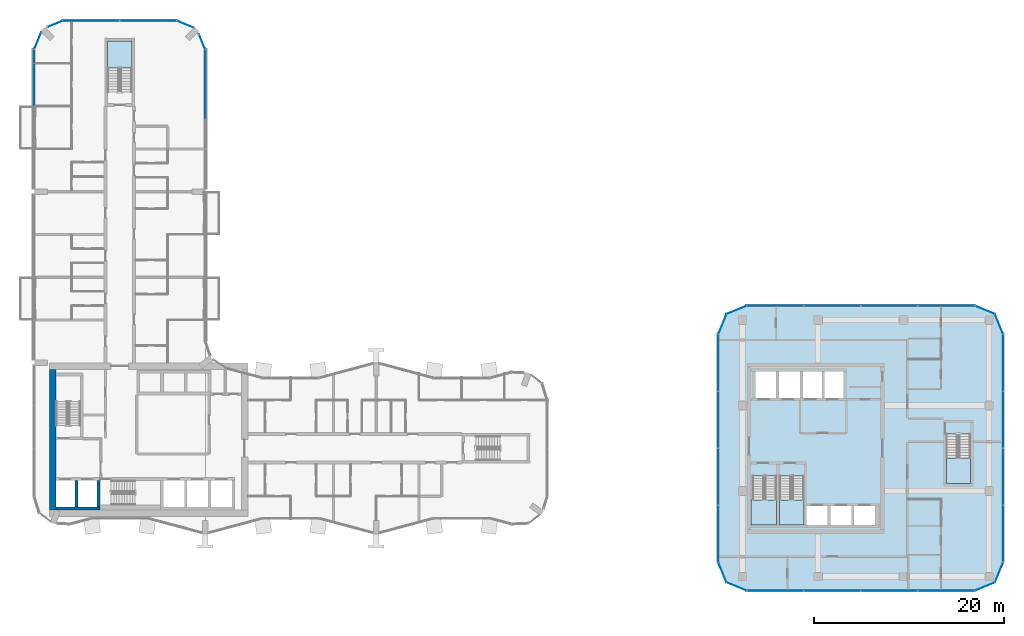
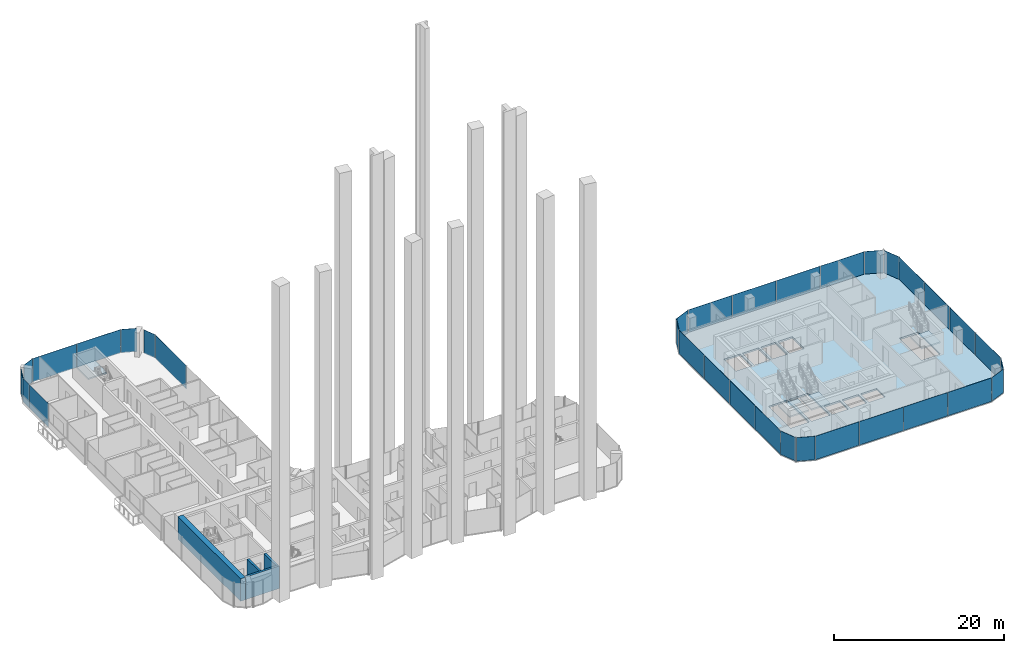
# One storey, part 12 of 27: 33 plates, 5 slabs, 4 walls, 23 elements without a shape of their own.
"""IFC4 building model written with IfcOpenShell, lengths in metres."""

from ifc_helpers import new_model, si_unit, direction, frame, frame_2d, origin, origin_2d, place, context, subcontext, project, spatial, polyline, rectangle, outline, extrude, material, layer, layer_set, type_object, element, aggregate, save


model = new_model("IFC4")

# Units and contexts
model_context = context("Model", 3, precision=1e-05, world=origin(), true_north=direction((0.0, 1.0)))
body_context = subcontext(model_context, "Body", "Model", "MODEL_VIEW")
ifc_project = project(units=[si_unit("LENGTHUNIT", "METRE"), si_unit("AREAUNIT", "SQUARE_METRE"), si_unit("VOLUMEUNIT", "CUBIC_METRE"), si_unit("PLANEANGLEUNIT", "RADIAN"), si_unit("MASSUNIT", "GRAM", prefix="KILO")], contexts=[model_context])

# Site, building, storey
site_placement = place(None, origin())
site = spatial("IfcSite", under=ifc_project, at=site_placement, CompositionType="ELEMENT")
building_placement = place(site_placement, origin())
building = spatial("IfcBuilding", under=site, at=building_placement, Name="Plateau Cross Towers", CompositionType="ELEMENT")
storey_placement = place(building_placement, frame((0.0, 0.0, 78.300048828125)))
storey = spatial("IfcBuildingStorey", under=building, at=storey_placement, Name="L19", CompositionType="ELEMENT", Elevation=78.300048828125)

# Curtain wall, plates
ifc_material_1 = material(Name="Dark low-iron glass", Category="glass")
ifc_layer_1 = layer(ifc_material_1, 0.239990234375)
ifc_layer_set_1 = layer_set([ifc_layer_1], Name="Dark low-iron glass")
curtain_wall_type_1 = type_object("IfcCurtainWallType", Name="Curtain wall office unitised CW-F", PredefinedType="NOTDEFINED", material=ifc_layer_set_1)
curtain_wall_1_placement = place(storey_placement, origin())
curtain_wall_1 = element("IfcCurtainWall", 1, at=curtain_wall_1_placement, inside=storey, type_object=curtain_wall_type_1, Name="ENV/B/L19/B750_-60", PredefinedType="NOTDEFINED")
ifc_layer_2 = layer(ifc_material_1, 0.028076171875)
ifc_layer_set_2 = layer_set([ifc_layer_2], Name="Dark low-iron glass")
plate_type_1 = type_object("IfcPlateType", Name="Glass panel 28 office unitised", PredefinedType="CURTAIN_PANEL", material=ifc_layer_set_2)
plate_1_placement = place(storey_placement, frame((78.0, -6.0, -0.1298828125), z_axis=(0.0, 0.0, 1.0), x_axis=(1.0, 0.0, 0.0)))
plate_1 = element("IfcPlate", 2, at=plate_1_placement, type_object=plate_type_1, Name="CW-F panel 1", PredefinedType="CURTAIN_PANEL", context=body_context, shape_type="SweptSolid", body=[
    extrude(rectangle(XDim=5.93994140625, YDim=0.028076171875, at=origin_2d()), origin(), (0.0, 0.0, 1.0), 3.3798828125),
])
plate_2_placement = place(storey_placement, frame((84.0, -6.0, -0.1298828125), z_axis=(0.0, 0.0, 1.0), x_axis=(1.0, 0.0, 0.0)))
plate_2 = element("IfcPlate", 3, at=plate_2_placement, type_object=plate_type_1, Name="CW-F panel 2", PredefinedType="CURTAIN_PANEL", context=body_context, shape_type="SweptSolid", body=[
    extrude(rectangle(XDim=5.93994140625, YDim=0.028076171875, at=origin_2d()), origin(), (0.0, 0.0, 1.0), 3.3798828125),
])
plate_3_placement = place(storey_placement, frame((90.0, -6.0, -0.1298828125), z_axis=(0.0, 0.0, 1.0), x_axis=(1.0, 0.0, 0.0)))
plate_3 = element("IfcPlate", 4, at=plate_3_placement, type_object=plate_type_1, Name="CW-F panel 3", PredefinedType="CURTAIN_PANEL", context=body_context, shape_type="SweptSolid", body=[
    extrude(rectangle(XDim=5.93994140625, YDim=0.028076171875, at=origin_2d()), origin(), (0.0, 0.0, 1.0), 3.3798828125),
])
plate_4_placement = place(storey_placement, frame((96.0, -6.0, -0.1298828125), z_axis=(0.0, 0.0, 1.0), x_axis=(1.0, 0.0, 0.0)))
plate_4 = element("IfcPlate", 5, at=plate_4_placement, type_object=plate_type_1, Name="CW-F panel 4", PredefinedType="CURTAIN_PANEL", context=body_context, shape_type="SweptSolid", body=[
    extrude(rectangle(XDim=5.93994140625, YDim=0.028076171875, at=origin_2d()), origin(), (0.0, 0.0, 1.0), 3.3798828125),
])
aggregate(curtain_wall_1, [plate_1, plate_2, plate_3, plate_4])

# Curtain wall, plate
curtain_wall_2_placement = place(storey_placement, origin())
curtain_wall_2 = element("IfcCurtainWall", 6, at=curtain_wall_2_placement, inside=storey, type_object=curtain_wall_type_1, Name="ENV/B/L19/B990_-60", PredefinedType="NOTDEFINED")
plate_5_placement = place(storey_placement, frame((100.060546875, -5.560546875, -0.1298828125), z_axis=(0.0, 0.0, 1.0), x_axis=(0.923879457699, 0.382683612978, 0.0)))
plate_5 = element("IfcPlate", 7, at=plate_5_placement, type_object=plate_type_1, Name="CW-F panel 1", PredefinedType="CURTAIN_PANEL", context=body_context, shape_type="SweptSolid", body=[
    extrude(rectangle(XDim=2.236083984375, YDim=0.028076171875, at=origin_2d()), origin(), (0.0, 0.0, 1.0), 3.3798828125),
])
aggregate(curtain_wall_2, [plate_5])

curtain_wall_3_placement = place(storey_placement, origin())
curtain_wall_3 = element("IfcCurtainWall", 8, at=curtain_wall_3_placement, inside=storey, type_object=curtain_wall_type_1, Name="ENV/B/L19/B1011_-51", PredefinedType="NOTDEFINED")
plate_6_placement = place(storey_placement, frame((101.560546875, -4.060546875, -0.1298828125), z_axis=(0.0, 0.0, 1.0), x_axis=(0.382683612978, 0.923879457699, 0.0)))
plate_6 = element("IfcPlate", 9, at=plate_6_placement, type_object=plate_type_1, Name="CW-F panel 1", PredefinedType="CURTAIN_PANEL", context=body_context, shape_type="SweptSolid", body=[
    extrude(rectangle(XDim=2.236083984375, YDim=0.028076171875, at=origin_2d()), origin(), (0.0, 0.0, 1.0), 3.3798828125),
])
aggregate(curtain_wall_3, [plate_6])

# Curtain wall, plates
curtain_wall_4_placement = place(storey_placement, origin())
curtain_wall_4 = element("IfcCurtainWall", 10, at=curtain_wall_4_placement, inside=storey, type_object=curtain_wall_type_1, Name="ENV/B/L19/B1020_-30", PredefinedType="NOTDEFINED")
plate_7_placement = place(storey_placement, frame((102.0, 0.0, -0.1298828125), z_axis=(0.0, 0.0, 1.0), x_axis=(0.0, 1.0, 0.0)))
plate_7 = element("IfcPlate", 11, at=plate_7_placement, type_object=plate_type_1, Name="CW-F panel 1", PredefinedType="CURTAIN_PANEL", context=body_context, shape_type="SweptSolid", body=[
    extrude(rectangle(XDim=5.93994140625, YDim=0.028076171875, at=origin_2d()), origin(), (0.0, 0.0, 1.0), 3.3798828125),
])
plate_8_placement = place(storey_placement, frame((102.0, 6.0, -0.1298828125), z_axis=(0.0, 0.0, 1.0), x_axis=(0.0, 1.0, 0.0)))
plate_8 = element("IfcPlate", 12, at=plate_8_placement, type_object=plate_type_1, Name="CW-F panel 2", PredefinedType="CURTAIN_PANEL", context=body_context, shape_type="SweptSolid", body=[
    extrude(rectangle(XDim=5.93994140625, YDim=0.028076171875, at=origin_2d()), origin(), (0.0, 0.0, 1.0), 3.3798828125),
])
plate_9_placement = place(storey_placement, frame((102.0, 12.0, -0.1298828125), z_axis=(0.0, 0.0, 1.0), x_axis=(0.0, 1.0, 0.0)))
plate_9 = element("IfcPlate", 13, at=plate_9_placement, type_object=plate_type_1, Name="CW-F panel 3", PredefinedType="CURTAIN_PANEL", context=body_context, shape_type="SweptSolid", body=[
    extrude(rectangle(XDim=5.93994140625, YDim=0.028076171875, at=origin_2d()), origin(), (0.0, 0.0, 1.0), 3.3798828125),
])
plate_10_placement = place(storey_placement, frame((102.0, 18.0, -0.1298828125), z_axis=(0.0, 0.0, 1.0), x_axis=(0.0, 1.0, 0.0)))
plate_10 = element("IfcPlate", 14, at=plate_10_placement, type_object=plate_type_1, Name="CW-F panel 4", PredefinedType="CURTAIN_PANEL", context=body_context, shape_type="SweptSolid", body=[
    extrude(rectangle(XDim=5.93994140625, YDim=0.028076171875, at=origin_2d()), origin(), (0.0, 0.0, 1.0), 3.3798828125),
])
aggregate(curtain_wall_4, [plate_7, plate_8, plate_9, plate_10])

# Curtain wall, plate
curtain_wall_5_placement = place(storey_placement, origin())
curtain_wall_5 = element("IfcCurtainWall", 15, at=curtain_wall_5_placement, inside=storey, type_object=curtain_wall_type_1, Name="ENV/B/L19/B1020_210", PredefinedType="NOTDEFINED")
plate_11_placement = place(storey_placement, frame((101.560546875, 22.060546875, -0.1298828125), z_axis=(0.0, 0.0, 1.0), x_axis=(-0.382683612978, 0.923879457699, 0.0)))
plate_11 = element("IfcPlate", 16, at=plate_11_placement, type_object=plate_type_1, Name="CW-F panel 1", PredefinedType="CURTAIN_PANEL", context=body_context, shape_type="SweptSolid", body=[
    extrude(rectangle(XDim=2.236083984375, YDim=0.028076171875, at=origin_2d()), origin(), (0.0, 0.0, 1.0), 3.3798828125),
])
aggregate(curtain_wall_5, [plate_11])

curtain_wall_6_placement = place(storey_placement, origin())
curtain_wall_6 = element("IfcCurtainWall", 17, at=curtain_wall_6_placement, inside=storey, type_object=curtain_wall_type_1, Name="ENV/B/L19/B1011_231", PredefinedType="NOTDEFINED")
plate_12_placement = place(storey_placement, frame((100.060546875, 23.560546875, -0.1298828125), z_axis=(0.0, 0.0, 1.0), x_axis=(-0.923879457699, 0.382683612978, 0.0)))
plate_12 = element("IfcPlate", 18, at=plate_12_placement, type_object=plate_type_1, Name="CW-F panel 1", PredefinedType="CURTAIN_PANEL", context=body_context, shape_type="SweptSolid", body=[
    extrude(rectangle(XDim=2.236083984375, YDim=0.028076171875, at=origin_2d()), origin(), (0.0, 0.0, 1.0), 3.3798828125),
])
aggregate(curtain_wall_6, [plate_12])

# Curtain wall, plates
curtain_wall_7_placement = place(storey_placement, origin())
curtain_wall_7 = element("IfcCurtainWall", 19, at=curtain_wall_7_placement, inside=storey, type_object=curtain_wall_type_1, Name="ENV/B/L19/B990_240", PredefinedType="NOTDEFINED")
plate_13_placement = place(storey_placement, frame((96.0, 24.0, -0.1298828125), z_axis=(0.0, 0.0, 1.0), x_axis=(-1.0, 0.0, 0.0)))
plate_13 = element("IfcPlate", 20, at=plate_13_placement, type_object=plate_type_1, Name="CW-F panel 1", PredefinedType="CURTAIN_PANEL", context=body_context, shape_type="SweptSolid", body=[
    extrude(rectangle(XDim=5.93994140625, YDim=0.028076171875, at=origin_2d()), origin(), (0.0, 0.0, 1.0), 3.3798828125),
])
plate_14_placement = place(storey_placement, frame((90.0, 24.0, -0.1298828125), z_axis=(0.0, 0.0, 1.0), x_axis=(-1.0, 0.0, 0.0)))
plate_14 = element("IfcPlate", 21, at=plate_14_placement, type_object=plate_type_1, Name="CW-F panel 2", PredefinedType="CURTAIN_PANEL", context=body_context, shape_type="SweptSolid", body=[
    extrude(rectangle(XDim=5.93994140625, YDim=0.028076171875, at=origin_2d()), origin(), (0.0, 0.0, 1.0), 3.3798828125),
])
plate_15_placement = place(storey_placement, frame((84.0, 24.0, -0.1298828125), z_axis=(0.0, 0.0, 1.0), x_axis=(-1.0, 0.0, 0.0)))
plate_15 = element("IfcPlate", 22, at=plate_15_placement, type_object=plate_type_1, Name="CW-F panel 3", PredefinedType="CURTAIN_PANEL", context=body_context, shape_type="SweptSolid", body=[
    extrude(rectangle(XDim=5.93994140625, YDim=0.028076171875, at=origin_2d()), origin(), (0.0, 0.0, 1.0), 3.3798828125),
])
plate_16_placement = place(storey_placement, frame((78.0, 24.0, -0.1298828125), z_axis=(0.0, 0.0, 1.0), x_axis=(-1.0, 0.0, 0.0)))
plate_16 = element("IfcPlate", 23, at=plate_16_placement, type_object=plate_type_1, Name="CW-F panel 4", PredefinedType="CURTAIN_PANEL", context=body_context, shape_type="SweptSolid", body=[
    extrude(rectangle(XDim=5.93994140625, YDim=0.028076171875, at=origin_2d()), origin(), (0.0, 0.0, 1.0), 3.3798828125),
])
aggregate(curtain_wall_7, [plate_13, plate_14, plate_15, plate_16])

# Curtain wall, plate
curtain_wall_8_placement = place(storey_placement, origin())
curtain_wall_8 = element("IfcCurtainWall", 24, at=curtain_wall_8_placement, inside=storey, type_object=curtain_wall_type_1, Name="ENV/B/L19/B750_240", PredefinedType="NOTDEFINED")
plate_17_placement = place(storey_placement, frame((73.939453125, 23.560546875, -0.1298828125), z_axis=(0.0, 0.0, 1.0), x_axis=(-0.923879457699, -0.382683612978, 0.0)))
plate_17 = element("IfcPlate", 25, at=plate_17_placement, type_object=plate_type_1, Name="CW-F panel 1", PredefinedType="CURTAIN_PANEL", context=body_context, shape_type="SweptSolid", body=[
    extrude(rectangle(XDim=2.236083984375, YDim=0.028076171875, at=origin_2d()), origin(), (0.0, 0.0, 1.0), 3.3798828125),
])
aggregate(curtain_wall_8, [plate_17])

curtain_wall_9_placement = place(storey_placement, origin())
curtain_wall_9 = element("IfcCurtainWall", 26, at=curtain_wall_9_placement, inside=storey, type_object=curtain_wall_type_1, Name="ENV/B/L19/B729_231", PredefinedType="NOTDEFINED")
plate_18_placement = place(storey_placement, frame((72.439453125, 22.060546875, -0.1298828125), z_axis=(0.0, 0.0, 1.0), x_axis=(-0.382683612978, -0.923879457699, 0.0)))
plate_18 = element("IfcPlate", 27, at=plate_18_placement, type_object=plate_type_1, Name="CW-F panel 1", PredefinedType="CURTAIN_PANEL", context=body_context, shape_type="SweptSolid", body=[
    extrude(rectangle(XDim=2.236083984375, YDim=0.028076171875, at=origin_2d()), origin(), (0.0, 0.0, 1.0), 3.3798828125),
])
aggregate(curtain_wall_9, [plate_18])

# Curtain wall, plates
curtain_wall_10_placement = place(storey_placement, origin())
curtain_wall_10 = element("IfcCurtainWall", 28, at=curtain_wall_10_placement, inside=storey, type_object=curtain_wall_type_1, Name="ENV/B/L19/B720_210", PredefinedType="NOTDEFINED")
plate_19_placement = place(storey_placement, frame((72.0, 18.0, -0.1298828125), z_axis=(0.0, 0.0, 1.0), x_axis=(0.0, -1.0, 0.0)))
plate_19 = element("IfcPlate", 29, at=plate_19_placement, type_object=plate_type_1, Name="CW-F panel 1", PredefinedType="CURTAIN_PANEL", context=body_context, shape_type="SweptSolid", body=[
    extrude(rectangle(XDim=5.93994140625, YDim=0.028076171875, at=origin_2d()), origin(), (0.0, 0.0, 1.0), 3.3798828125),
])
plate_20_placement = place(storey_placement, frame((72.0, 12.0, -0.1298828125), z_axis=(0.0, 0.0, 1.0), x_axis=(0.0, -1.0, 0.0)))
plate_20 = element("IfcPlate", 30, at=plate_20_placement, type_object=plate_type_1, Name="CW-F panel 2", PredefinedType="CURTAIN_PANEL", context=body_context, shape_type="SweptSolid", body=[
    extrude(rectangle(XDim=5.93994140625, YDim=0.028076171875, at=origin_2d()), origin(), (0.0, 0.0, 1.0), 3.3798828125),
])
plate_21_placement = place(storey_placement, frame((72.0, 6.0, -0.1298828125), z_axis=(0.0, 0.0, 1.0), x_axis=(0.0, -1.0, 0.0)))
plate_21 = element("IfcPlate", 31, at=plate_21_placement, type_object=plate_type_1, Name="CW-F panel 3", PredefinedType="CURTAIN_PANEL", context=body_context, shape_type="SweptSolid", body=[
    extrude(rectangle(XDim=5.93994140625, YDim=0.028076171875, at=origin_2d()), origin(), (0.0, 0.0, 1.0), 3.3798828125),
])
plate_22_placement = place(storey_placement, frame((72.0, 0.0, -0.1298828125), z_axis=(0.0, 0.0, 1.0), x_axis=(0.0, -1.0, 0.0)))
plate_22 = element("IfcPlate", 32, at=plate_22_placement, type_object=plate_type_1, Name="CW-F panel 4", PredefinedType="CURTAIN_PANEL", context=body_context, shape_type="SweptSolid", body=[
    extrude(rectangle(XDim=5.93994140625, YDim=0.028076171875, at=origin_2d()), origin(), (0.0, 0.0, 1.0), 3.3798828125),
])
aggregate(curtain_wall_10, [plate_19, plate_20, plate_21, plate_22])

# Curtain wall, plate
curtain_wall_11_placement = place(storey_placement, origin())
curtain_wall_11 = element("IfcCurtainWall", 33, at=curtain_wall_11_placement, inside=storey, type_object=curtain_wall_type_1, Name="ENV/B/L19/B720_-30", PredefinedType="NOTDEFINED")
plate_23_placement = place(storey_placement, frame((72.439453125, -4.060546875, -0.1298828125), z_axis=(0.0, 0.0, 1.0), x_axis=(0.382683612978, -0.923879457699, 0.0)))
plate_23 = element("IfcPlate", 34, at=plate_23_placement, type_object=plate_type_1, Name="CW-F panel 1", PredefinedType="CURTAIN_PANEL", context=body_context, shape_type="SweptSolid", body=[
    extrude(rectangle(XDim=2.236083984375, YDim=0.028076171875, at=origin_2d()), origin(), (0.0, 0.0, 1.0), 3.3798828125),
])
aggregate(curtain_wall_11, [plate_23])

curtain_wall_12_placement = place(storey_placement, origin())
curtain_wall_12 = element("IfcCurtainWall", 35, at=curtain_wall_12_placement, inside=storey, type_object=curtain_wall_type_1, Name="ENV/B/L19/B729_-51", PredefinedType="NOTDEFINED")
plate_24_placement = place(storey_placement, frame((73.939453125, -5.560546875, -0.1298828125), z_axis=(0.0, 0.0, 1.0), x_axis=(0.923879457699, -0.382683612978, 0.0)))
plate_24 = element("IfcPlate", 36, at=plate_24_placement, type_object=plate_type_1, Name="CW-F panel 1", PredefinedType="CURTAIN_PANEL", context=body_context, shape_type="SweptSolid", body=[
    extrude(rectangle(XDim=2.236083984375, YDim=0.028076171875, at=origin_2d()), origin(), (0.0, 0.0, 1.0), 3.3798828125),
])
aggregate(curtain_wall_12, [plate_24])

ifc_layer_3 = layer(ifc_material_1, 0.239990234375)
ifc_layer_set_3 = layer_set([ifc_layer_3], Name="Dark low-iron glass")
curtain_wall_type_2 = type_object("IfcCurtainWallType", Name="Curtain wall flush unitised CW-B", PredefinedType="NOTDEFINED", material=ifc_layer_set_3)
curtain_wall_13_placement = place(storey_placement, origin())
curtain_wall_13 = element("IfcCurtainWall", 37, at=curtain_wall_13_placement, inside=storey, type_object=curtain_wall_type_2, Name="ENV/A/L19/A180_363", PredefinedType="NOTDEFINED")
ifc_layer_4 = layer(ifc_material_1, 0.031982421875)
ifc_layer_set_4 = layer_set([ifc_layer_4], Name="Dark low-iron glass")
plate_type_2 = type_object("IfcPlateType", Name="Glass panel 32 flush unitised", PredefinedType="CURTAIN_PANEL", material=ifc_layer_set_4)
plate_25_placement = place(storey_placement, frame((18.0, 47.324951171875, -0.1298828125), z_axis=(0.0, 0.0, 1.0), x_axis=(0.0, 1.0, 0.0)))
plate_25 = element("IfcPlate", 38, at=plate_25_placement, type_object=plate_type_2, Name="CW-B panel 2", PredefinedType="CURTAIN_PANEL", context=body_context, shape_type="SweptSolid", body=[
    extrude(rectangle(XDim=7.2900390625, YDim=0.031982421875, at=origin_2d()), origin(), (0.0, 0.0, 1.0), 3.3798828125),
])
aggregate(curtain_wall_13, [plate_25])

curtain_wall_14_placement = place(storey_placement, origin())
curtain_wall_14 = element("IfcCurtainWall", 39, at=curtain_wall_14_placement, inside=storey, type_object=curtain_wall_type_2, Name="ENV/A/L19/A180_510", PredefinedType="NOTDEFINED")
plate_26_placement = place(storey_placement, frame((17.66943359375, 51.79833984375, -0.1298828125), z_axis=(0.0, 0.0, 1.0), x_axis=(-0.382683612978, 0.923879457699, 0.0)))
plate_26 = element("IfcPlate", 40, at=plate_26_placement, type_object=plate_type_2, Name="CW-B panel 1", PredefinedType="CURTAIN_PANEL", context=body_context, shape_type="SweptSolid", body=[
    extrude(rectangle(XDim=1.668212890625, YDim=0.031982421875, at=origin_2d()), origin(), (0.0, 0.0, 1.0), 3.3798828125),
])
aggregate(curtain_wall_14, [plate_26])

curtain_wall_15_placement = place(storey_placement, origin())
curtain_wall_15 = element("IfcCurtainWall", 41, at=curtain_wall_15_placement, inside=storey, type_object=curtain_wall_type_2, Name="ENV/A/L19/A168_533", PredefinedType="NOTDEFINED")
plate_27_placement = place(storey_placement, frame((15.90283203125, 53.6259765625, -0.1298828125), z_axis=(0.0, 0.0, 1.0), x_axis=(-0.923879457699, 0.382683612978, 0.0)))
plate_27 = element("IfcPlate", 42, at=plate_27_placement, type_object=plate_type_2, Name="CW-B panel 1", PredefinedType="CURTAIN_PANEL", context=body_context, shape_type="SweptSolid", body=[
    extrude(rectangle(XDim=1.894775390625, YDim=0.031982421875, at=origin_2d()), origin(), (0.0, 0.0, 1.0), 3.3798828125),
])
aggregate(curtain_wall_15, [plate_27])

# Curtain wall, plates
curtain_wall_16_placement = place(storey_placement, origin())
curtain_wall_16 = element("IfcCurtainWall", 43, at=curtain_wall_16_placement, inside=storey, type_object=curtain_wall_type_2, Name="ENV/A/L19/A150_540", PredefinedType="NOTDEFINED")
plate_28_placement = place(storey_placement, frame((12.0, 54.0, -0.1298828125), z_axis=(0.0, 0.0, 1.0), x_axis=(-1.0, 0.0, 0.0)))
plate_28 = element("IfcPlate", 44, at=plate_28_placement, type_object=plate_type_2, Name="CW-B panel 1", PredefinedType="CURTAIN_PANEL", context=body_context, shape_type="SweptSolid", body=[
    extrude(rectangle(XDim=5.93994140625, YDim=0.031982421875, at=origin_2d()), origin(), (0.0, 0.0, 1.0), 3.3798828125),
])
plate_29_placement = place(storey_placement, frame((6.0, 54.0, -0.1298828125), z_axis=(0.0, 0.0, 1.0), x_axis=(-1.0, 0.0, 0.0)))
plate_29 = element("IfcPlate", 45, at=plate_29_placement, type_object=plate_type_2, Name="CW-B panel 2", PredefinedType="CURTAIN_PANEL", context=body_context, shape_type="SweptSolid", body=[
    extrude(rectangle(XDim=5.93994140625, YDim=0.031982421875, at=origin_2d()), origin(), (0.0, 0.0, 1.0), 3.3798828125),
])
aggregate(curtain_wall_16, [plate_28, plate_29])

# Curtain wall, plate
curtain_wall_17_placement = place(storey_placement, origin())
curtain_wall_17 = element("IfcCurtainWall", 46, at=curtain_wall_17_placement, inside=storey, type_object=curtain_wall_type_2, Name="ENV/A/L19/A30_540", PredefinedType="NOTDEFINED")
plate_30_placement = place(storey_placement, frame((2.20166015625, 53.66943359375, -0.1298828125), z_axis=(0.0, 0.0, 1.0), x_axis=(-0.923879457699, -0.382683612978, 0.0)))
plate_30 = element("IfcPlate", 47, at=plate_30_placement, type_object=plate_type_2, Name="CW-B panel 1", PredefinedType="CURTAIN_PANEL", context=body_context, shape_type="SweptSolid", body=[
    extrude(rectangle(XDim=1.668212890625, YDim=0.031982421875, at=origin_2d()), origin(), (0.0, 0.0, 1.0), 3.3798828125),
])
aggregate(curtain_wall_17, [plate_30])

curtain_wall_18_placement = place(storey_placement, origin())
curtain_wall_18 = element("IfcCurtainWall", 48, at=curtain_wall_18_placement, inside=storey, type_object=curtain_wall_type_2, Name="ENV/A/L19/A7_528", PredefinedType="NOTDEFINED")
plate_31_placement = place(storey_placement, frame((0.3740234375, 51.90283203125, -0.1298828125), z_axis=(0.0, 0.0, 1.0), x_axis=(-0.382683612978, -0.923879457699, 0.0)))
plate_31 = element("IfcPlate", 49, at=plate_31_placement, type_object=plate_type_2, Name="CW-B panel 1", PredefinedType="CURTAIN_PANEL", context=body_context, shape_type="SweptSolid", body=[
    extrude(rectangle(XDim=1.894775390625, YDim=0.031982421875, at=origin_2d()), origin(), (0.0, 0.0, 1.0), 3.3798828125),
])
aggregate(curtain_wall_18, [plate_31])

# Curtain wall, plates
curtain_wall_19_placement = place(storey_placement, origin())
curtain_wall_19 = element("IfcCurtainWall", 50, at=curtain_wall_19_placement, inside=storey, type_object=curtain_wall_type_2, Name="ENV/A/L19/A0_510", PredefinedType="NOTDEFINED")
plate_32_placement = place(storey_placement, frame((0.0, 50.25, -0.1298828125), z_axis=(0.0, 0.0, 1.0), x_axis=(0.0, -1.0, 0.0)))
plate_32 = element("IfcPlate", 51, at=plate_32_placement, type_object=plate_type_2, Name="CW-B panel 1", PredefinedType="CURTAIN_PANEL", context=body_context, shape_type="SweptSolid", body=[
    extrude(rectangle(XDim=1.43994140625, YDim=0.031982421875, at=origin_2d()), origin(), (0.0, 0.0, 1.0), 3.3798828125),
])
plate_33_placement = place(storey_placement, frame((0.0, 47.2548828125, -0.1298828125), z_axis=(0.0, 0.0, 1.0), x_axis=(0.0, -1.0, 0.0)))
plate_33 = element("IfcPlate", 52, at=plate_33_placement, type_object=plate_type_2, Name="CW-B panel 2", PredefinedType="CURTAIN_PANEL", context=body_context, shape_type="SweptSolid", body=[
    extrude(rectangle(XDim=4.429931640625, YDim=0.031982421875, at=origin_2d()), origin(), (0.0, 0.0, 1.0), 3.3798828125),
])
aggregate(curtain_wall_19, [plate_32, plate_33])

# Slab
ifc_material_2 = material(Name="Concrete C40/50", Category="concrete")
ifc_layer_5 = layer(ifc_material_2, 0.25)
ifc_layer_set_5 = layer_set([ifc_layer_5], Name="Concrete C40/50")
slab_type_1 = type_object("IfcSlabType", Name="Post-tensioned flat plate slab 250", PredefinedType="FLOOR", material=ifc_layer_set_5)
slab_1_placement = place(storey_placement, frame((0.0, 0.0, -0.25)))
element("IfcSlab", 53, at=slab_1_placement, inside=storey, type_object=slab_type_1, Name="SL-B-L19", PredefinedType="FLOOR", context=body_context, shape_type="SweptSolid", body=[
    extrude(outline(polyline([(72.878662109375, -5.121337890625), (72.0, -3.0), (72.0, 21.0), (72.878662109375, 23.121337890625), (75.0, 24.0), (99.0, 24.0), (101.121337890625, 23.121337890625), (102.0, 21.0), (102.0, -3.0), (101.121337890625, -5.121337890625), (99.0, -6.0), (75.0, -6.0), (72.878662109375, -5.121337890625)]), holes=[polyline([(75.60009765625, 0.89990234375), (78.14990234375, 0.89990234375), (78.14990234375, 6.10009765625), (75.60009765625, 6.10009765625), (75.60009765625, 0.89990234375)]), polyline([(78.10009765625, 14.300048828125), (78.10009765625, 17.10009765625), (75.89990234375, 17.10009765625), (75.89990234375, 14.300048828125), (78.10009765625, 14.300048828125)]), polyline([(83.5, 0.89990234375), (83.5, 2.89990234375), (81.300048828125, 2.89990234375), (81.300048828125, 0.89990234375), (83.5, 0.89990234375)]), polyline([(86.0, 0.89990234375), (86.0, 2.89990234375), (83.800048828125, 2.89990234375), (83.800048828125, 0.89990234375), (86.0, 0.89990234375)]), polyline([(88.5, 0.89990234375), (88.5, 2.89990234375), (86.300048828125, 2.89990234375), (86.300048828125, 0.89990234375), (88.5, 0.89990234375)]), polyline([(78.449951171875, 0.89990234375), (81.0, 0.89990234375), (81.0, 6.10009765625), (78.449951171875, 6.10009765625), (78.449951171875, 0.89990234375)]), polyline([(96.0, 5.300048828125), (98.550048828125, 5.300048828125), (98.550048828125, 10.5), (96.0, 10.5), (96.0, 5.300048828125)]), polyline([(80.60009765625, 14.300048828125), (80.60009765625, 17.10009765625), (78.39990234375, 17.10009765625), (78.39990234375, 14.300048828125), (80.60009765625, 14.300048828125)]), polyline([(80.89990234375, 14.300048828125), (82.89990234375, 14.300048828125), (82.89990234375, 17.10009765625), (80.89990234375, 17.10009765625), (80.89990234375, 14.300048828125)]), polyline([(83.199951171875, 14.300048828125), (85.199951171875, 14.300048828125), (85.199951171875, 17.10009765625), (83.199951171875, 17.10009765625), (83.199951171875, 14.300048828125)])]), origin(), (0.0, 0.0, 1.0), 0.25),
])

# Stair, slab
stair_type = type_object("IfcStairType", Name="ST-TWR", PredefinedType="HALF_TURN_STAIR", material=ifc_material_2)
stair_1_placement = place(storey_placement, origin())
stair_1 = element("IfcStair", 54, at=stair_1_placement, inside=storey, type_object=stair_type, Name="L19 Protected Exit Stair SB-1", PredefinedType="HALF_TURN_STAIR")
ifc_layer_6 = layer(ifc_material_2, 0.199951171875)
ifc_layer_set_6 = layer_set([ifc_layer_6], Name="Concrete C40/50")
slab_type_2 = type_object("IfcSlabType", Name="SL-LANDING", PredefinedType="LANDING", material=ifc_layer_set_6)
slab_2_placement = place(storey_placement, frame((0.0, 0.0, 1.550048828125)))
slab_2 = element("IfcSlab", 55, at=slab_2_placement, type_object=slab_type_2, Name="SB-1 landing 1", PredefinedType="LANDING", context=body_context, shape_type="SweptSolid", body=[
    extrude(outline(polyline([(75.449951171875, 3.580078125), (75.449951171875, 0.89990234375), (78.14990234375, 0.89990234375), (78.14990234375, 3.580078125), (75.449951171875, 3.580078125)])), origin(), (0.0, 0.0, 1.0), 0.199951171875),
])
aggregate(stair_1, [slab_2])

stair_2_placement = place(storey_placement, origin())
stair_2 = element("IfcStair", 56, at=stair_2_placement, inside=storey, type_object=stair_type, Name="L19 Protected Exit Stair SB-2", PredefinedType="HALF_TURN_STAIR")
slab_3_placement = place(storey_placement, frame((0.0, 0.0, 1.550048828125)))
slab_3 = element("IfcSlab", 57, at=slab_3_placement, type_object=slab_type_2, Name="SB-2 landing 1", PredefinedType="LANDING", context=body_context, shape_type="SweptSolid", body=[
    extrude(outline(polyline([(78.449951171875, 3.580078125), (78.449951171875, 0.89990234375), (81.0, 0.89990234375), (81.0, 3.580078125), (78.449951171875, 3.580078125)])), origin(), (0.0, 0.0, 1.0), 0.199951171875),
])
aggregate(stair_2, [slab_3])

stair_3_placement = place(storey_placement, origin())
stair_3 = element("IfcStair", 58, at=stair_3_placement, inside=storey, type_object=stair_type, Name="L19 Protected Exit Stair SB-3", PredefinedType="HALF_TURN_STAIR")
slab_4_placement = place(storey_placement, frame((0.0, 0.0, 1.550048828125)))
slab_4 = element("IfcSlab", 59, at=slab_4_placement, type_object=slab_type_2, Name="SB-3 landing 1", PredefinedType="LANDING", context=body_context, shape_type="SweptSolid", body=[
    extrude(outline(polyline([(96.0, 7.97998046875), (96.0, 5.300048828125), (98.550048828125, 5.300048828125), (98.550048828125, 7.97998046875), (96.0, 7.97998046875)])), origin(), (0.0, 0.0, 1.0), 0.199951171875),
])
aggregate(stair_3, [slab_4])

stair_4_placement = place(storey_placement, origin())
stair_4 = element("IfcStair", 60, at=stair_4_placement, inside=storey, type_object=stair_type, Name="L19 Protected Exit Stair N", PredefinedType="HALF_TURN_STAIR")
slab_5_placement = place(storey_placement, frame((0.0, 0.0, 1.550048828125)))
slab_5 = element("IfcSlab", 61, at=slab_5_placement, type_object=slab_type_2, Name="ES-N landing 1", PredefinedType="LANDING", context=body_context, shape_type="SweptSolid", body=[
    extrude(outline(polyline([(10.27490234375, 49.02001953125), (10.27490234375, 51.85009765625), (7.72509765625, 51.85009765625), (7.72509765625, 49.02001953125), (10.27490234375, 49.02001953125)])), origin(), (0.0, 0.0, 1.0), 0.199951171875),
])
aggregate(stair_4, [slab_5])

# Walls
ifc_material_3 = material(Name="Concrete C60/75", Category="concrete")
ifc_layer_7 = layer(ifc_material_3, 0.300048828125)
ifc_layer_set_7 = layer_set([ifc_layer_7], Name="Concrete C60/75")
wall_type_1 = type_object("IfcWallType", Name="Core shaft wall 300", PredefinedType="SHEAR", material=ifc_layer_set_7)
wall_1_placement = place(storey_placement, frame((2.300048828125, 2.64990234375, 0.0), z_axis=(0.0, 0.0, 1.0), x_axis=(1.0, 0.0, 0.0)))
element("IfcWall", 62, at=wall_1_placement, inside=storey, type_object=wall_type_1, Name="A-sb-back1@L19", PredefinedType="SHEAR", context=body_context, shape_type="SweptSolid", body=[
    extrude(rectangle(XDim=4.599853515625, YDim=0.300048828125, at=frame_2d((2.2998046875, 0.0))), origin(), (0.0, 0.0, 1.0), 3.25),
])
for number, where, z_axis, x_axis, name in (
    (63, (4.449951171875, 2.800048828125, 0.0), (0.0, 0.0, 1.0), (0.0, 1.0, 0.0), "A-sb-v1@L19"),
    (64, (6.75, 2.800048828125, 0.0), (0.0, 0.0, 1.0), (0.0, 1.0, 0.0), "A-sb-v2@L19"),
):
    element("IfcWall", number, at=place(storey_placement, frame(where, z_axis=z_axis, x_axis=x_axis)), inside=storey, type_object=wall_type_1, Name=name, PredefinedType="SHEAR", context=body_context, shape_type="SweptSolid", body=[
        extrude(rectangle(XDim=2.800048828125, YDim=0.300048828125, at=frame_2d((1.39990234375, 0.0))), origin(), (0.0, 0.0, 1.0), 3.25),
    ])
ifc_layer_8 = layer(ifc_material_3, 0.699951171875)
ifc_layer_set_8 = layer_set([ifc_layer_8], Name="Concrete C60/75")
wall_type_2 = type_object("IfcWallType", Name="Core shell wall 700", PredefinedType="SHEAR", material=ifc_layer_set_8)
wall_2_placement = place(storey_placement, frame((1.949951171875, 2.5, 0.0), z_axis=(0.0, 0.0, 1.0), x_axis=(0.0, 1.0, 0.0)))
element("IfcWall", 65, at=wall_2_placement, inside=storey, type_object=wall_type_2, Name="A-core-W@L19", PredefinedType="SHEAR", context=body_context, shape_type="SweptSolid", body=[
    extrude(rectangle(XDim=14.800048828125, YDim=0.699951171875, at=frame_2d((7.39990234375, 0.0))), origin(), (0.0, 0.0, 1.0), 3.25),
])

save(model, "model.ifc")
